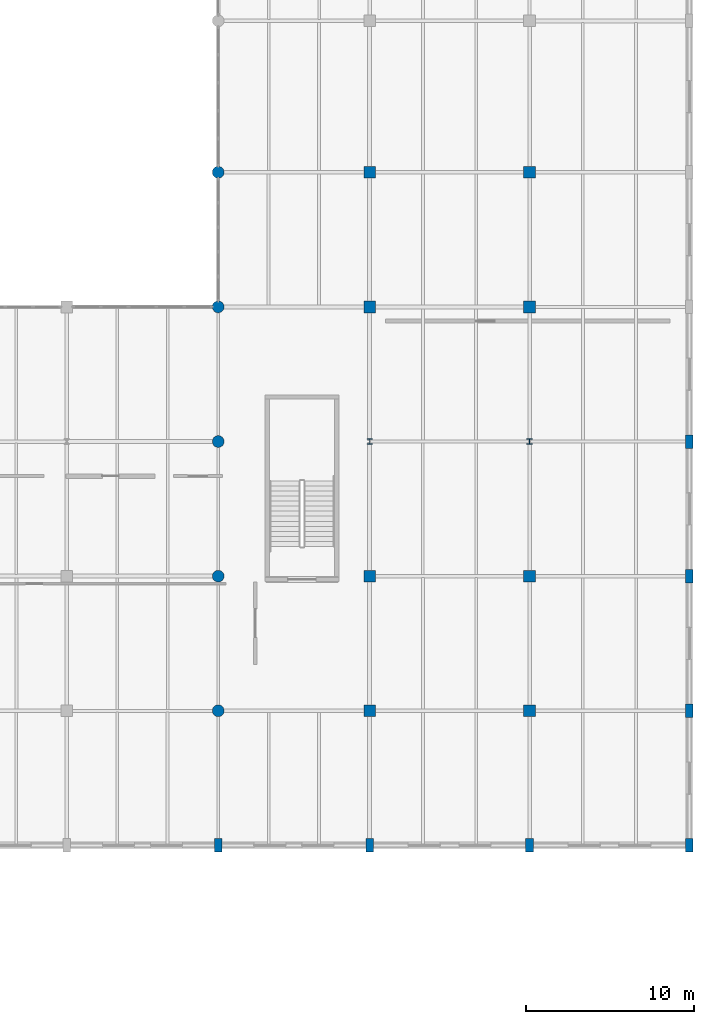
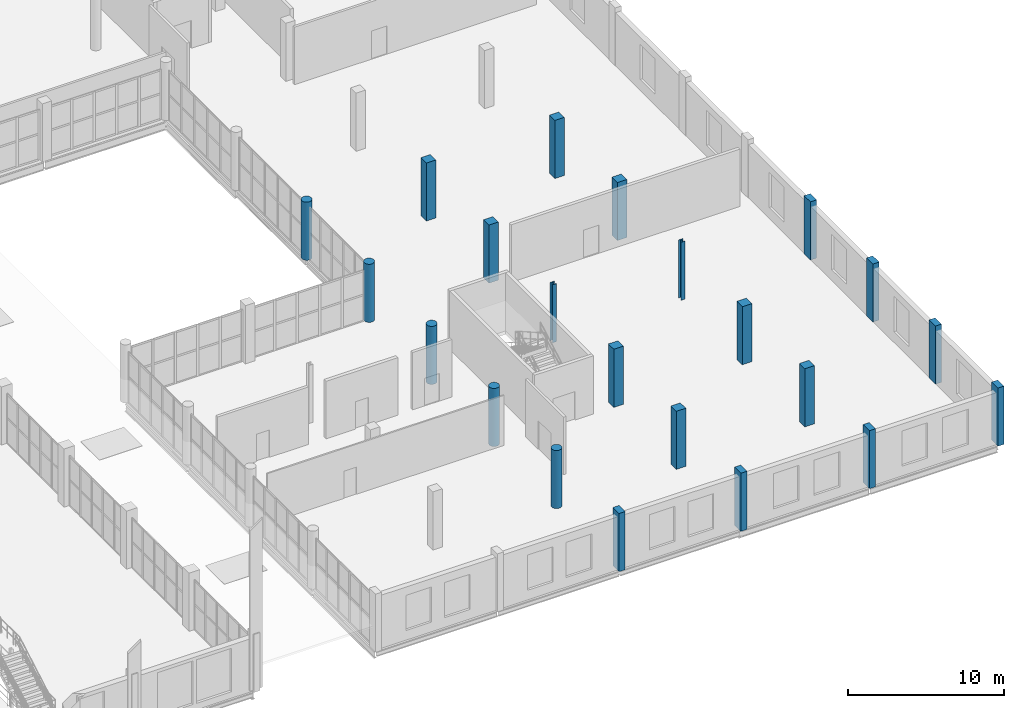
# One storey, part 18 of 93: 22 columns.
"""IFC4 building model written with IfcOpenShell, lengths in metres."""

from ifc_helpers import new_model, si_unit, direction, frame, origin, origin_2d, place, context, subcontext, project, spatial, rectangle, circle, i_section, extrude, material, material_profile, profile_set, type_object, element, save


model = new_model("IFC4")

# Units and contexts
model_context = context("Model", 3, precision=1e-05, world=origin(), true_north=direction((0.0, 1.0)))
body_context = subcontext(model_context, "Body", "Model", "MODEL_VIEW")
ifc_project = project(units=[si_unit("LENGTHUNIT", "METRE"), si_unit("AREAUNIT", "SQUARE_METRE"), si_unit("VOLUMEUNIT", "CUBIC_METRE"), si_unit("PLANEANGLEUNIT", "RADIAN"), si_unit("MASSUNIT", "GRAM", prefix="KILO")], contexts=[model_context])

# Site, building, storey
site_placement = place(None, origin())
site = spatial("IfcSite", under=ifc_project, at=site_placement, CompositionType="ELEMENT")
building_placement = place(site_placement, origin())
building = spatial("IfcBuilding", under=site, at=building_placement, Name="Marnock Terrace Opera House", CompositionType="ELEMENT")
storey_placement = place(building_placement, frame((0.0, 0.0, 5.39990234375)))
storey = spatial("IfcBuildingStorey", under=building, at=storey_placement, Name="L01", CompositionType="ELEMENT", Elevation=5.39990234375)

# Columns
ifc_material_1 = material(Name="Concrete N40 (f'c = 40 MPa)", Category="concrete")
ifc_material_profile_1 = material_profile(ifc_material_1, circle(Radius=0.35009765625, at=origin_2d()))
ifc_profile_set_1 = profile_set([ifc_material_profile_1], Name="Concrete N40 (f'c = 40 MPa)")
column_type_1 = type_object("IfcColumnType", Name="COL-LOGGIA-700", PredefinedType="COLUMN", material=ifc_profile_set_1)
for number, where, z_axis, x_axis, name in (
    (1, (136.0, 16.0, 0.0), (0.0, 0.0, 1.0), (1.0, 0.0, 0.0), "L01 column at (136.0, 16.0)"),
    (2, (136.0, 24.0, 0.0), (0.0, 0.0, 1.0), (1.0, 0.0, 0.0), "L01 column at (136.0, 24.0)"),
    (3, (136.0, 32.0, 0.0), (0.0, 0.0, 1.0), (1.0, 0.0, 0.0), "L01 column at (136.0, 32.0)"),
    (4, (136.0, 40.0, 0.0), (0.0, 0.0, 1.0), (1.0, 0.0, 0.0), "L01 column at (136.0, 40.0)"),
    (5, (136.0, 48.0, 0.0), (0.0, 0.0, 1.0), (1.0, 0.0, 0.0), "L01 column at (136.0, 48.0)"),
):
    element("IfcColumn", number, at=place(storey_placement, frame(where, z_axis=z_axis, x_axis=x_axis)), inside=storey, type_object=column_type_1, Name=name, PredefinedType="COLUMN", context=body_context, shape_type="SweptSolid", body=[
        extrude(circle(Radius=0.35009765625, at=origin_2d()), origin(), (0.0, 0.0, 1.0), 4.5400390625),
    ])
ifc_material_profile_2 = material_profile(ifc_material_1, rectangle(XDim=0.449951171875, YDim=0.800048828125, at=origin_2d()))
ifc_profile_set_2 = profile_set([ifc_material_profile_2], Name="Concrete N40 (f'c = 40 MPa)")
column_type_2 = type_object("IfcColumnType", Name="COL-PIL-800", PredefinedType="PILASTER", material=ifc_profile_set_2)
for number, where, z_axis, x_axis, name in (
    (6, (136.0, 8.0, 0.0), (0.0, 0.0, 1.0), (1.0, 0.0, 0.0), "L01 column at (136.0, 8.0)"),
    (7, (145.0, 8.0, 0.0), (0.0, 0.0, 1.0), (1.0, 0.0, 0.0), "L01 column at (145.0, 8.0)"),
    (8, (154.5, 8.0, 0.0), (0.0, 0.0, 1.0), (1.0, 0.0, 0.0), "L01 column at (154.5, 8.0)"),
    (9, (164.0, 8.0, 0.0), (0.0, 0.0, 1.0), (1.0, 0.0, 0.0), "L01 column at (164.0, 8.0)"),
    (10, (164.0, 16.0, 0.0), (0.0, 0.0, 1.0), (1.0, 0.0, 0.0), "L01 column at (164.0, 16.0)"),
    (11, (164.0, 24.0, 0.0), (0.0, 0.0, 1.0), (1.0, 0.0, 0.0), "L01 column at (164.0, 24.0)"),
    (12, (164.0, 32.0, 0.0), (0.0, 0.0, 1.0), (1.0, 0.0, 0.0), "L01 column at (164.0, 32.0)"),
):
    element("IfcColumn", number, at=place(storey_placement, frame(where, z_axis=z_axis, x_axis=x_axis)), inside=storey, type_object=column_type_2, Name=name, PredefinedType="PILASTER", context=body_context, shape_type="SweptSolid", body=[
        extrude(rectangle(XDim=0.449951171875, YDim=0.800048828125, at=origin_2d()), origin(), (0.0, 0.0, 1.0), 4.5400390625),
    ])
ifc_material_profile_3 = material_profile(ifc_material_1, rectangle(XDim=0.699951171875, YDim=0.699951171875, at=origin_2d()))
ifc_profile_set_3 = profile_set([ifc_material_profile_3], Name="Concrete N40 (f'c = 40 MPa)")
column_type_3 = type_object("IfcColumnType", Name="COL-RC700", PredefinedType="COLUMN", material=ifc_profile_set_3)
for number, where, z_axis, x_axis, name in (
    (13, (145.0, 16.0, 0.0), (0.0, 0.0, 1.0), (1.0, 0.0, 0.0), "L01 column at (145.0, 16.0)"),
    (14, (145.0, 24.0, 0.0), (0.0, 0.0, 1.0), (1.0, 0.0, 0.0), "L01 column at (145.0, 24.0)"),
    (15, (145.0, 40.0, 0.0), (0.0, 0.0, 1.0), (1.0, 0.0, 0.0), "L01 column at (145.0, 40.0)"),
    (16, (145.0, 48.0, 0.0), (0.0, 0.0, 1.0), (1.0, 0.0, 0.0), "L01 column at (145.0, 48.0)"),
    (17, (154.5, 16.0, 0.0), (0.0, 0.0, 1.0), (1.0, 0.0, 0.0), "L01 column at (154.5, 16.0)"),
    (18, (154.5, 24.0, 0.0), (0.0, 0.0, 1.0), (1.0, 0.0, 0.0), "L01 column at (154.5, 24.0)"),
    (19, (154.5, 40.0, 0.0), (0.0, 0.0, 1.0), (1.0, 0.0, 0.0), "L01 column at (154.5, 40.0)"),
    (20, (154.5, 48.0, 0.0), (0.0, 0.0, 1.0), (1.0, 0.0, 0.0), "L01 column at (154.5, 48.0)"),
):
    element("IfcColumn", number, at=place(storey_placement, frame(where, z_axis=z_axis, x_axis=x_axis)), inside=storey, type_object=column_type_3, Name=name, PredefinedType="COLUMN", context=body_context, shape_type="SweptSolid", body=[
        extrude(rectangle(XDim=0.699951171875, YDim=0.699951171875, at=origin_2d()), origin(), (0.0, 0.0, 1.0), 4.5400390625),
    ])
ifc_material_2 = material(Name="Steel Grade 350 (AS/NZS 3679.1)", Category="steel")
ifc_material_profile_4 = material_profile(ifc_material_2, i_section(OverallWidth=0.30908203125, OverallDepth=0.320556640625, WebThickness=0.013916015625, FlangeThickness=0.021728515625, FilletRadius=0.0166015625, at=origin_2d()))
ifc_profile_set_4 = profile_set([ifc_material_profile_4], Name="Steel Grade 350 (AS/NZS 3679.1)")
column_type_4 = type_object("IfcColumnType", Name="COL-UC310B", PredefinedType="COLUMN", material=ifc_profile_set_4)
for number, where, z_axis, x_axis, name in (
    (21, (145.0, 32.0, 0.0), (0.0, 0.0, 1.0), (1.0, 0.0, 0.0), "L01 column at (145.0, 32.0)"),
    (22, (154.5, 32.0, 0.0), (0.0, 0.0, 1.0), (1.0, 0.0, 0.0), "L01 column at (154.5, 32.0)"),
):
    element("IfcColumn", number, at=place(storey_placement, frame(where, z_axis=z_axis, x_axis=x_axis)), inside=storey, type_object=column_type_4, Name=name, PredefinedType="COLUMN", context=body_context, shape_type="SweptSolid", body=[
        extrude(i_section(OverallWidth=0.30908203125, OverallDepth=0.320556640625, WebThickness=0.013916015625, FlangeThickness=0.021728515625, FilletRadius=0.0166015625, at=origin_2d()), origin(), (0.0, 0.0, 1.0), 4.5400390625),
    ])

save(model, "model.ifc")
